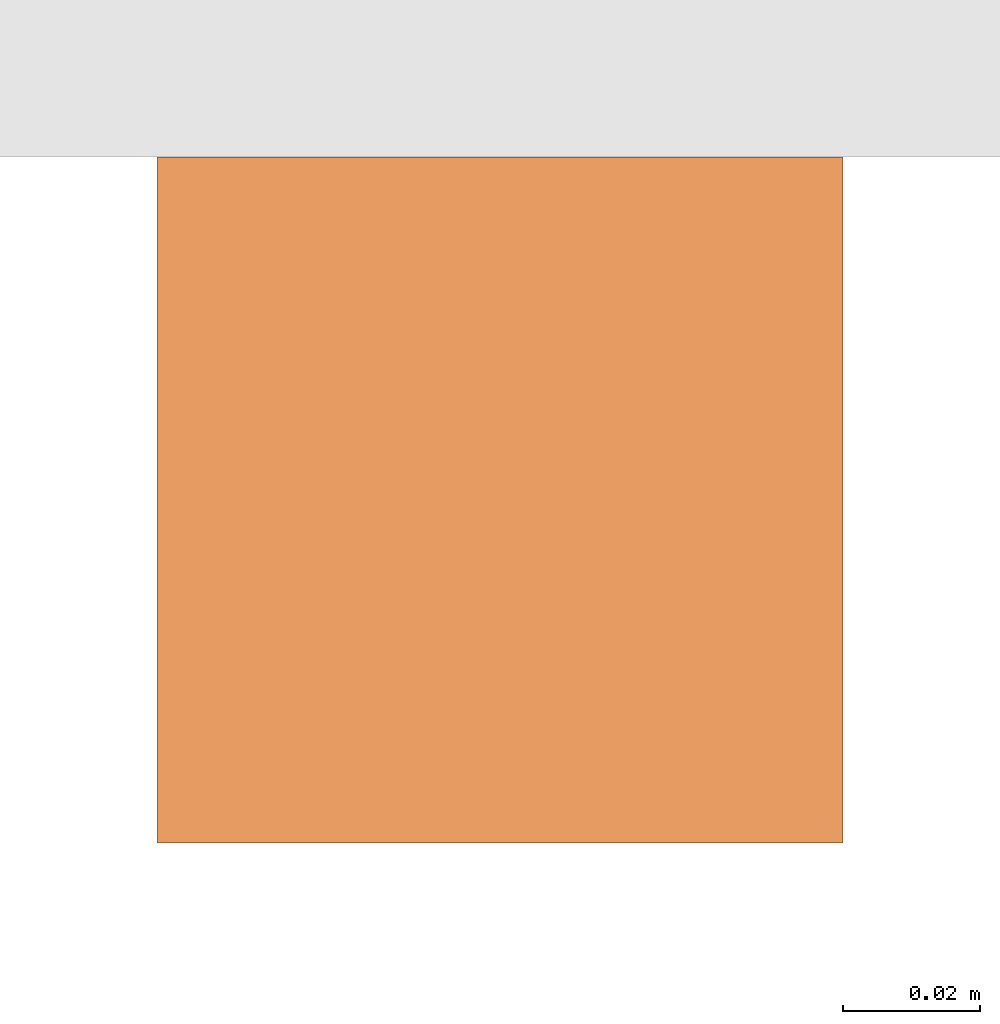
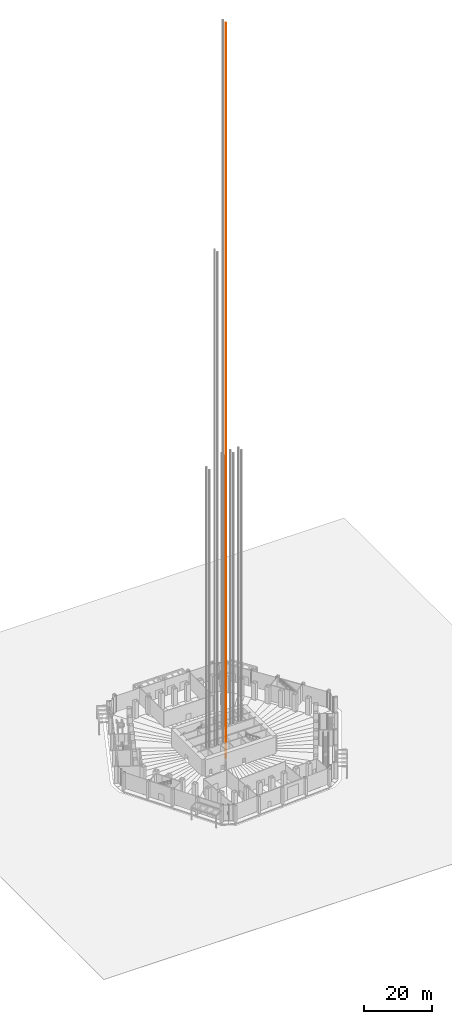
# One storey, part 38 of 45: 1 proxy.
"""IFC4 building model written with IfcOpenShell, lengths in metres."""

from ifc_helpers import new_model, si_unit, direction, frame, origin, origin_2d, place, context, subcontext, project, spatial, rectangle, extrude, material, type_object, element, save


model = new_model("IFC4")

# Units and contexts
model_context = context("Model", 3, precision=1e-05, world=origin(), true_north=direction((0.0, 1.0)))
body_context = subcontext(model_context, "Body", "Model", "MODEL_VIEW")
ifc_project = project(units=[si_unit("LENGTHUNIT", "METRE"), si_unit("AREAUNIT", "SQUARE_METRE"), si_unit("VOLUMEUNIT", "CUBIC_METRE"), si_unit("PLANEANGLEUNIT", "RADIAN"), si_unit("MASSUNIT", "GRAM", prefix="KILO")], contexts=[model_context])

# Site, building, storey
site_placement = place(None, origin())
site = spatial("IfcSite", under=ifc_project, at=site_placement, CompositionType="ELEMENT")
building_placement = place(site_placement, origin())
building = spatial("IfcBuilding", under=site, at=building_placement, Name="Qingtian Harvest Tower", CompositionType="ELEMENT")
storey_placement = place(building_placement, origin())
storey = spatial("IfcBuildingStorey", under=building, at=storey_placement, Name="L00", CompositionType="ELEMENT", Elevation=0.0)

# Proxy
ifc_material = material(Name="Steel SN490B", Category="steel")
building_element_proxy_type = type_object("IfcBuildingElementProxyType", Name="Lift guide rail LR1", PredefinedType="NOTDEFINED", material=ifc_material)
proxy_placement = place(storey_placement, frame((-1.89990234375, -4.375, 0.0), z_axis=(0.0, 0.0, 1.0), x_axis=(1.0, 0.0, 0.0)))
element("IfcBuildingElementProxy", 1, at=proxy_placement, inside=storey, type_object=building_element_proxy_type, Name="Lift SH3 guide rail 1", PredefinedType="NOTDEFINED", context=body_context, shape_type="SweptSolid", body=[
    extrude(rectangle(XDim=0.10009765625, YDim=0.10009765625, at=origin_2d()), origin(), (0.0, 0.0, 1.0), 264.39990234375),
])

save(model, "model.ifc")
